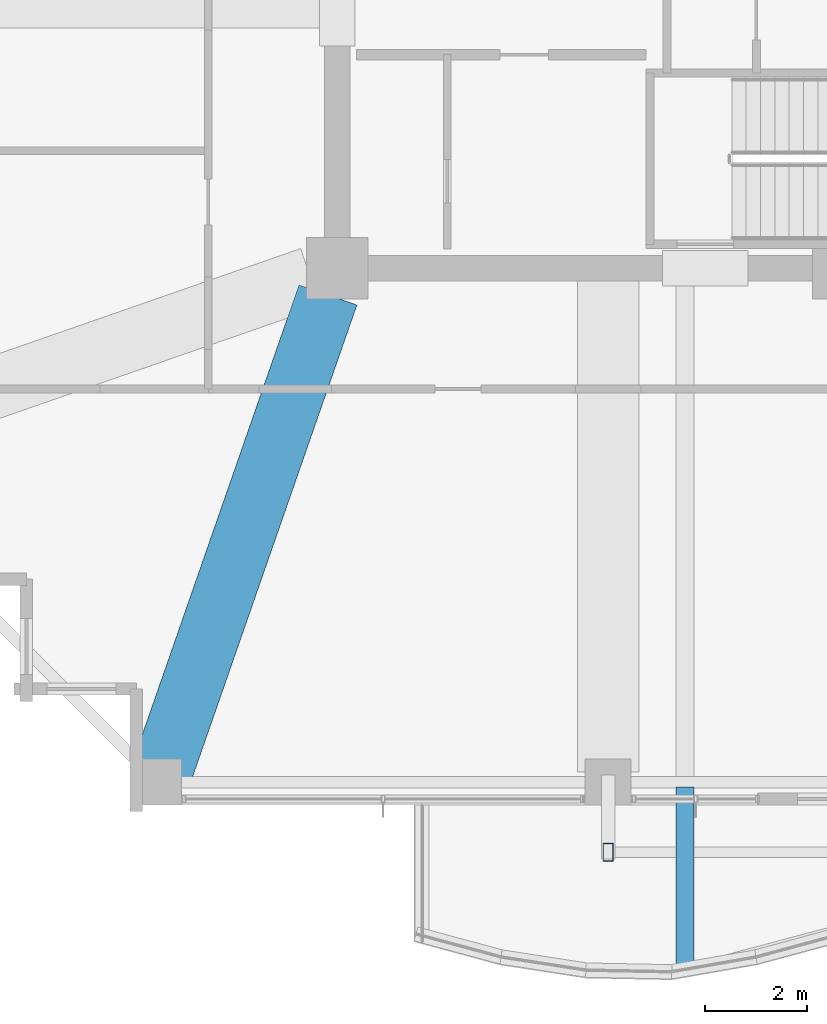
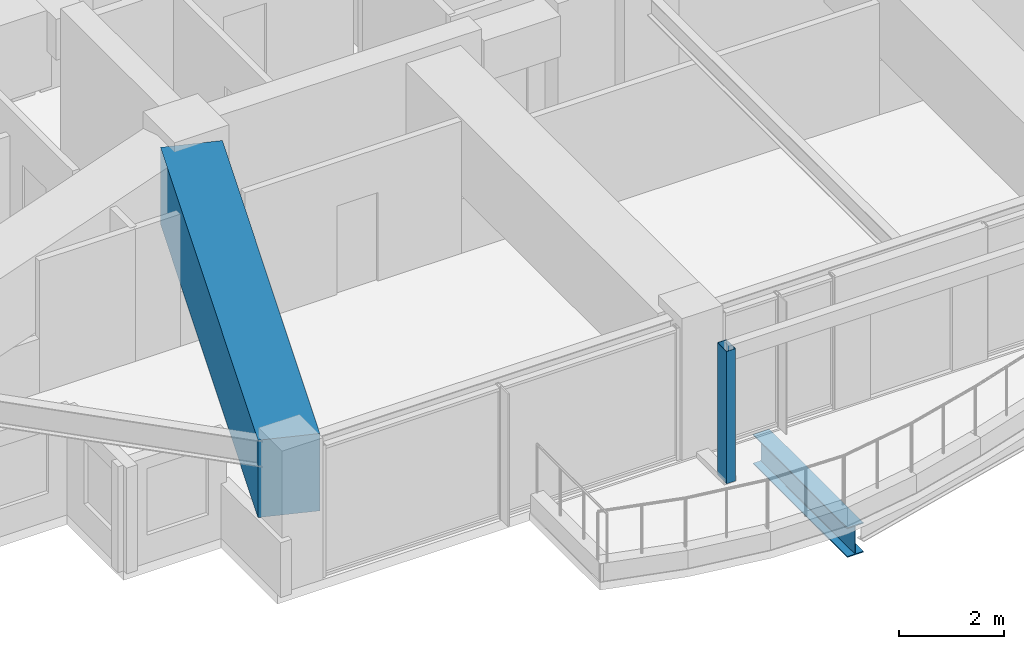
# One storey, part 4 of 37: 2 beams, 1 member.
"""IFC4 building model written with IfcOpenShell, lengths in metres."""

from ifc_helpers import new_model, si_unit, direction, frame, origin, origin_2d, place, context, subcontext, project, spatial, rectangle, hollow_rectangle, i_section, extrude, material, material_profile, profile_set, type_object, element, save


model = new_model("IFC4")

# Units and contexts
model_context = context("Model", 3, precision=1e-05, world=origin(), true_north=direction((0.0, 1.0)))
body_context = subcontext(model_context, "Body", "Model", "MODEL_VIEW")
ifc_project = project(units=[si_unit("LENGTHUNIT", "METRE"), si_unit("AREAUNIT", "SQUARE_METRE"), si_unit("VOLUMEUNIT", "CUBIC_METRE"), si_unit("PLANEANGLEUNIT", "RADIAN"), si_unit("MASSUNIT", "GRAM", prefix="KILO")], contexts=[model_context])

# Site, building, storey
site_placement = place(None, origin())
site = spatial("IfcSite", under=ifc_project, at=site_placement, CompositionType="ELEMENT")
building_placement = place(site_placement, origin())
building = spatial("IfcBuilding", under=site, at=building_placement, Name="Kolvaren Belvedere", CompositionType="ELEMENT")
storey_placement = place(building_placement, frame((0.0, 0.0, 186.60009765625)))
storey = spatial("IfcBuildingStorey", under=building, at=storey_placement, Name="L54", CompositionType="ELEMENT", Elevation=186.60009765625)

# Beams
ifc_material_1 = material(Name="Structural steel ASTM A992 Grade 50", Category="steel")
ifc_material_profile_1 = material_profile(ifc_material_1, i_section(OverallWidth=0.35498046875, OverallDepth=0.696044921875, WebThickness=0.015380859375, FlangeThickness=0.02490234375, FilletRadius=0.02197265625, at=origin_2d()), Name="W27X146")
ifc_profile_set_1 = profile_set([ifc_material_profile_1], Name="Structural steel ASTM A992 Grade 50")
beam_type_1 = type_object("IfcBeamType", Name="BM-CANT-BAL", PredefinedType="BEAM", material=ifc_profile_set_1)
beam_1_placement = place(storey_placement, frame((-3.10009765625, -20.044921875, -0.568115234375), z_axis=(0.0, -1.0, 0.0), x_axis=(1.0, 0.0, 0.0)))
element("IfcBeam", 1, at=beam_1_placement, inside=storey, type_object=beam_type_1, Name="L54 Planted Balcony Cantilever BAL-S-1", PredefinedType="BEAM", context=body_context, shape_type="SweptSolid", body=[
    extrude(i_section(OverallWidth=0.35498046875, OverallDepth=0.696044921875, WebThickness=0.015380859375, FlangeThickness=0.02490234375, FilletRadius=0.02197265625, at=origin_2d()), origin(), (0.0, 0.0, 1.0), 3.58984375),
])
ifc_material_2 = material(Name="Concrete C50/60", Category="concrete")
ifc_material_profile_2 = material_profile(ifc_material_2, rectangle(XDim=1.199951171875, YDim=1.800048828125, at=origin_2d()), Name="RC 1200X1800")
ifc_profile_set_2 = profile_set([ifc_material_profile_2], Name="Concrete C50/60")
beam_type_2 = type_object("IfcBeamType", Name="BM-TG-1800", PredefinedType="BEAM", material=ifc_profile_set_2)
beam_2_placement = place(storey_placement, frame((-10.080810546875, -10.41943359375, 2.179931640625), z_axis=(-0.328894130701, -0.944366798861, 0.0), x_axis=(0.944366798861, -0.328894130701, 0.0)))
element("IfcBeam", 2, at=beam_2_placement, inside=storey, type_object=beam_type_2, Name="L54 Corner Core-to-Perimeter Girder CC1-S1", PredefinedType="BEAM", context=body_context, shape_type="SweptSolid", body=[
    extrude(rectangle(XDim=1.199951171875, YDim=1.800048828125, at=origin_2d()), origin(), (0.0, 0.0, 1.0), 9.912109375),
])

# Member
ifc_material_3 = material(Name="Anodised pale-metal aluminium AA 6063-T6", Category="aluminium")
ifc_material_profile_3 = material_profile(ifc_material_3, hollow_rectangle(XDim=0.199951171875, YDim=0.35009765625, WallThickness=0.007568359375, at=origin_2d()), Name="ALU-PF-350X200")
ifc_profile_set_3 = profile_set([ifc_material_profile_3], Name="Anodised pale-metal aluminium AA 6063-T6")
member_type = type_object("IfcMemberType", Name="PF-FRAME-350", PredefinedType="USERDEFINED", material=ifc_profile_set_3)
member_placement = place(storey_placement, frame((-4.60009765625, -21.320068359375, 0.0), z_axis=(0.0, 0.0, 1.0), x_axis=(1.0, 0.0, 0.0)))
element("IfcMember", 3, at=member_placement, inside=storey, type_object=member_type, Name="L54 Outboard Picture-Frame Vertical S2", ObjectType="PICTURE FRAME FIN", PredefinedType="USERDEFINED", context=body_context, shape_type="SweptSolid", body=[
    extrude(hollow_rectangle(XDim=0.199951171875, YDim=0.35009765625, WallThickness=0.007568359375, at=origin_2d()), origin(), (0.0, 0.0, 1.0), 3.079833984375),
])

save(model, "model.ifc")
